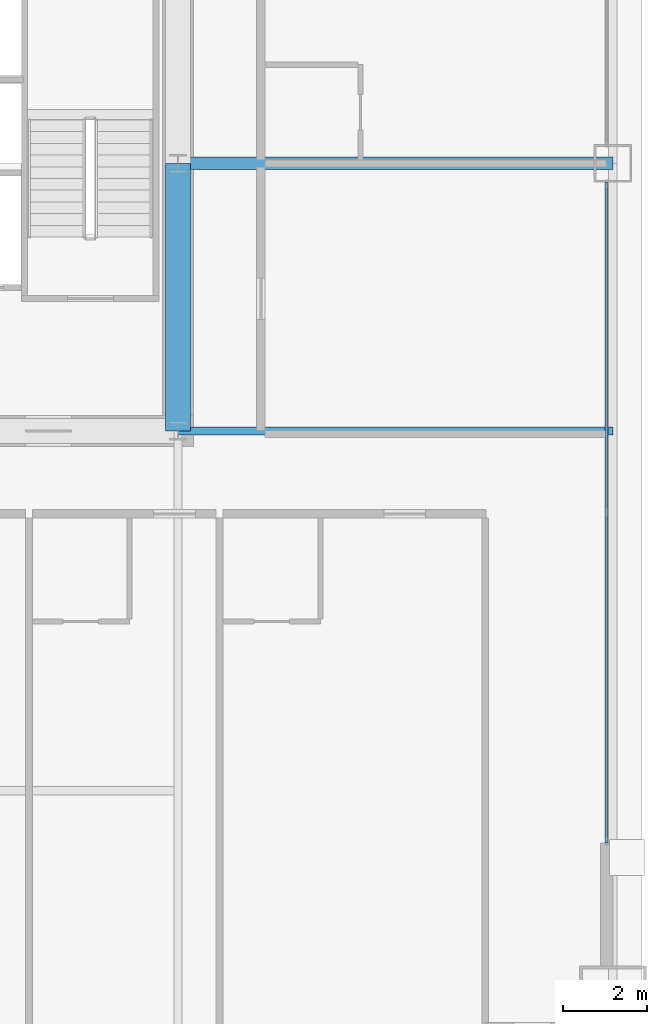
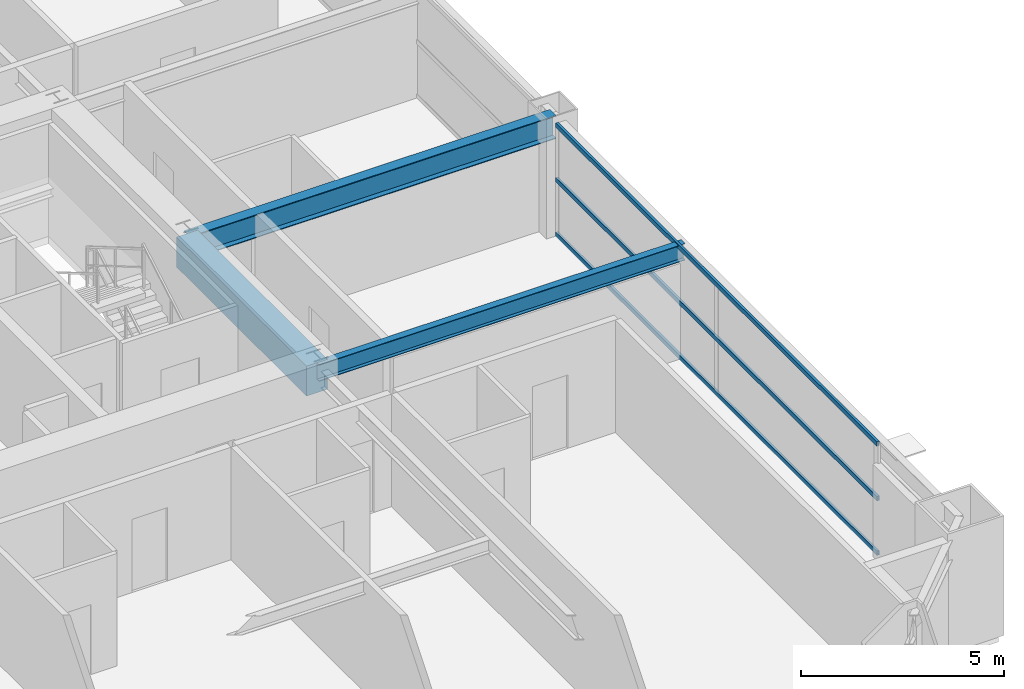
# One storey, part 18 of 38: 3 beams, 3 members, 1 element without a shape of its own.
"""IFC4 building model written with IfcOpenShell, lengths in metres."""

from ifc_helpers import new_model, si_unit, direction, frame, origin, origin_2d, place, context, subcontext, project, spatial, rectangle, hollow_rectangle, i_section, extrude, source, transform, mapped, material, layer, layer_set, material_profile, profile_set, type_object, element, aggregate, save


model = new_model("IFC4")

# Units and contexts
model_context = context("Model", 3, precision=1e-05, world=origin(), true_north=direction((0.0, 1.0)))
body_context = subcontext(model_context, "Body", "Model", "MODEL_VIEW")
ifc_project = project(units=[si_unit("LENGTHUNIT", "METRE"), si_unit("AREAUNIT", "SQUARE_METRE"), si_unit("VOLUMEUNIT", "CUBIC_METRE"), si_unit("PLANEANGLEUNIT", "RADIAN"), si_unit("MASSUNIT", "GRAM", prefix="KILO"), si_unit("THERMODYNAMICTEMPERATUREUNIT", "KELVIN"), si_unit("POWERUNIT", "WATT")], contexts=[model_context])

# Site, building, storey
site_placement = place(None, origin())
site = spatial("IfcSite", under=ifc_project, at=site_placement, CompositionType="ELEMENT")
building_placement = place(site_placement, origin())
building = spatial("IfcBuilding", under=site, at=building_placement, Name="Yuzanri Waterfront Tower", CompositionType="ELEMENT")
storey_placement = place(building_placement, frame((0.0, 0.0, 97.39990234375)))
storey = spatial("IfcBuildingStorey", under=building, at=storey_placement, Name="L25", CompositionType="ELEMENT", Elevation=97.39990234375)

# Beams
ifc_material_1 = material(Name="Concrete C60", Category="concrete")
ifc_material_profile_1 = material_profile(ifc_material_1, rectangle(XDim=0.60009765625, YDim=0.89990234375, at=origin_2d()), Name="RC 600x900")
ifc_profile_set_1 = profile_set([ifc_material_profile_1], Name="Concrete C60")
beam_type_1 = type_object("IfcBeamType", Name="Core Coupling Lintel Concrete C60 600x900", PredefinedType="LINTEL", material=ifc_profile_set_1)
shared_shape_1 = source(origin(), body_context, "Body", "SweptSolid", [
    extrude(rectangle(XDim=0.60009765625, YDim=0.89990234375, at=origin_2d()), origin(), (0.0, 0.0, 1.0), 6.400146484375),
])
beam_1_placement = place(storey_placement, frame((50.199951171875, 19.39990234375, 2.93017578125), z_axis=(0.0, 1.0, 0.0), x_axis=(-1.0, 0.0, 0.0)))
element("IfcBeam", 1, at=beam_1_placement, inside=storey, type_object=beam_type_1, Name="L25 Core Tie Beam CE1", PredefinedType="LINTEL", context=body_context, shape_type="MappedRepresentation", body=[
    mapped(shared_shape_1, transform((0.0, 0.0, 0.0), scale=1.0)),
])
ifc_material_2 = material(Name="Steel Q355B", Category="steel")
ifc_material_profile_2 = material_profile(ifc_material_2, i_section(OverallWidth=0.300048828125, OverallDepth=0.699951171875, WebThickness=0.012939453125, FlangeThickness=0.02392578125, at=origin_2d()), Name="HN 700x300x13x24")
ifc_profile_set_2 = profile_set([ifc_material_profile_2], Name="Steel Q355B")
beam_type_2 = type_object("IfcBeamType", Name="Primary Floor Girder Q355B HN 700x300", PredefinedType="BEAM", material=ifc_profile_set_2)
shared_shape_2 = source(origin(), body_context, "Body", "SweptSolid", [
    extrude(i_section(OverallWidth=0.300048828125, OverallDepth=0.699951171875, WebThickness=0.012939453125, FlangeThickness=0.02392578125, at=origin_2d()), origin(), (0.0, 0.0, 1.0), 10.400146484375),
])
beam_2_placement = place(storey_placement, frame((50.199951171875, 25.800048828125, 3.030029296875), z_axis=(1.0, 0.0, 0.0), x_axis=(0.0, 1.0, 0.0)))
element("IfcBeam", 2, at=beam_2_placement, inside=storey, type_object=beam_type_2, Name="L25 East Grid Girder", PredefinedType="BEAM", context=body_context, shape_type="MappedRepresentation", body=[
    mapped(shared_shape_2, transform((0.0, 0.0, 0.0), scale=1.0)),
])
ifc_material_3 = material(Name="Steel Q355B", Category="steel")
ifc_material_profile_3 = material_profile(ifc_material_3, i_section(OverallWidth=0.199951171875, OverallDepth=0.5, WebThickness=0.010009765625, FlangeThickness=0.01611328125, at=origin_2d()), Name="HN 500x200x10x16")
ifc_profile_set_3 = profile_set([ifc_material_profile_3], Name="Steel Q355B")
beam_type_3 = type_object("IfcBeamType", Name="Secondary Floor Beam Q355B HN 500x200", PredefinedType="BEAM", material=ifc_profile_set_3)
shared_shape_3 = source(origin(), body_context, "Body", "SweptSolid", [
    extrude(i_section(OverallWidth=0.199951171875, OverallDepth=0.5, WebThickness=0.010009765625, FlangeThickness=0.01611328125, at=origin_2d()), origin(), (0.0, 0.0, 1.0), 10.400146484375),
])
beam_3_placement = place(storey_placement, frame((50.199951171875, 19.39990234375, 3.130126953125), z_axis=(1.0, 0.0, 0.0), x_axis=(0.0, 1.0, 0.0)))
element("IfcBeam", 3, at=beam_3_placement, inside=storey, type_object=beam_type_3, Name="L25 East-South Core Line Beam", PredefinedType="BEAM", context=body_context, shape_type="MappedRepresentation", body=[
    mapped(shared_shape_3, transform((0.0, 0.0, 0.0), scale=1.0)),
])

# Curtain wall, members
ifc_material_4 = material(Name="Anodized Architectural Bronze", Category="metal")
ifc_layer = layer(ifc_material_4, 0.159912109375)
ifc_layer_set = layer_set([ifc_layer], Name="Anodized Architectural Bronze")
curtain_wall_type = type_object("IfcCurtainWallType", Name="Anodized Bronze Hotel Upper-Tier Solar-Control Unitized Curtain Wall 7800", PredefinedType="NOTDEFINED", material=ifc_layer_set)
curtain_wall_placement = place(storey_placement, origin())
curtain_wall = element("IfcCurtainWall", 4, at=curtain_wall_placement, inside=storey, type_object=curtain_wall_type, Name="L25 Curtain Wall CW-L25-EL", PredefinedType="NOTDEFINED")
ifc_material_5 = material(Name="Anodized Architectural Bronze", Category="metal")
ifc_material_profile_4 = material_profile(ifc_material_5, hollow_rectangle(XDim=0.070068359375, YDim=0.135009765625, WallThickness=0.00341796875, at=origin_2d()), Name="CWT 70x135")
ifc_profile_set_4 = profile_set([ifc_material_profile_4], Name="Anodized Architectural Bronze")
member_type = type_object("IfcMemberType", Name="Anodized Bronze Standard Curtain-Wall Transom 70x135", PredefinedType="USERDEFINED", material=ifc_profile_set_4)
shared_shape_4 = source(origin(), body_context, "Body", "SweptSolid", [
    extrude(hollow_rectangle(XDim=0.070068359375, YDim=0.135009765625, WallThickness=0.00341796875, at=origin_2d()), origin(), (0.0, 0.0, 1.0), 15.800048828125),
])
member_1_placement = place(storey_placement, frame((60.449951171875, 9.550048828125, 0.050048828125), z_axis=(0.0, 1.0, 0.0), x_axis=(-1.0, 0.0, 0.0)))
member_1 = element("IfcMember", 5, at=member_1_placement, type_object=member_type, Name="CW-L25-EL Transom 1", ObjectType="TRANSOM", PredefinedType="USERDEFINED", context=body_context, shape_type="MappedRepresentation", body=[
    mapped(shared_shape_4, transform((0.0, 0.0, 0.0), scale=1.0)),
])
member_2_placement = place(storey_placement, frame((60.449951171875, 9.550048828125, 1.690185546875), z_axis=(0.0, 1.0, 0.0), x_axis=(-1.0, 0.0, 0.0)))
member_2 = element("IfcMember", 6, at=member_2_placement, type_object=member_type, Name="CW-L25-EL Transom 2", ObjectType="TRANSOM", PredefinedType="USERDEFINED", context=body_context, shape_type="MappedRepresentation", body=[
    mapped(shared_shape_4, transform((0.0, 0.0, 0.0), scale=1.0)),
])
member_3_placement = place(storey_placement, frame((60.449951171875, 9.550048828125, 3.330078125), z_axis=(0.0, 1.0, 0.0), x_axis=(-1.0, 0.0, 0.0)))
member_3 = element("IfcMember", 7, at=member_3_placement, type_object=member_type, Name="CW-L25-EL Transom 3", ObjectType="TRANSOM", PredefinedType="USERDEFINED", context=body_context, shape_type="MappedRepresentation", body=[
    mapped(shared_shape_4, transform((0.0, 0.0, 0.0), scale=1.0)),
])
aggregate(curtain_wall, [member_1, member_2, member_3])

save(model, "model.ifc")
